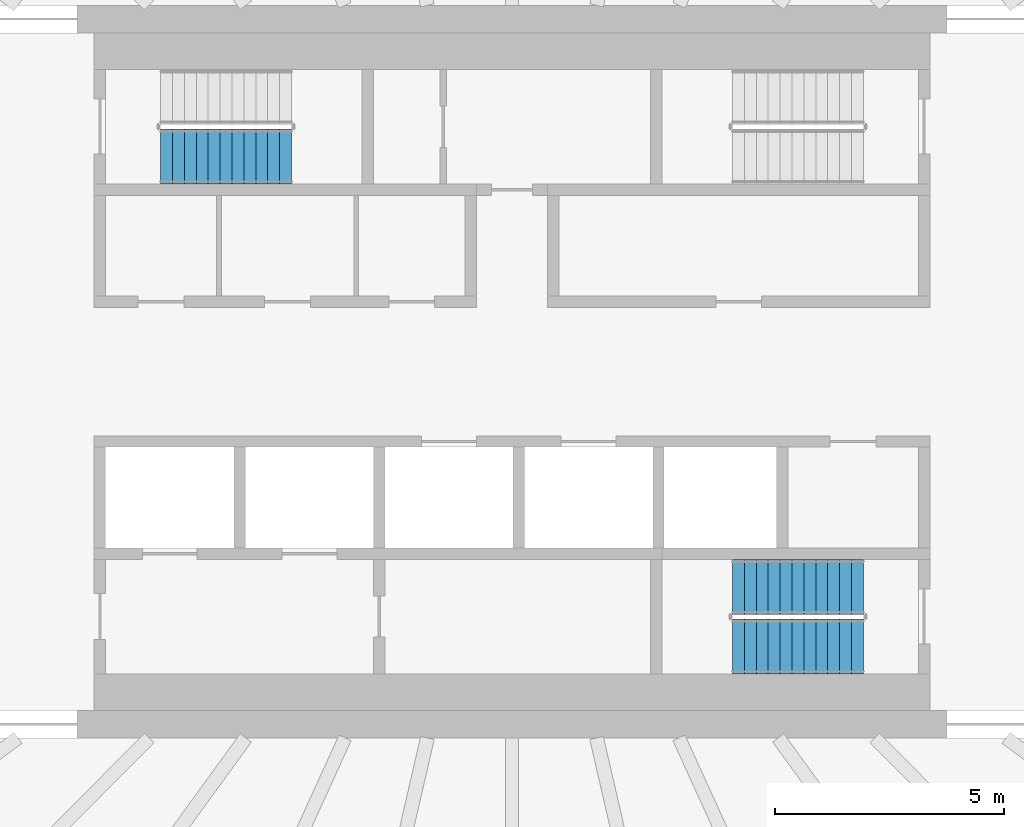
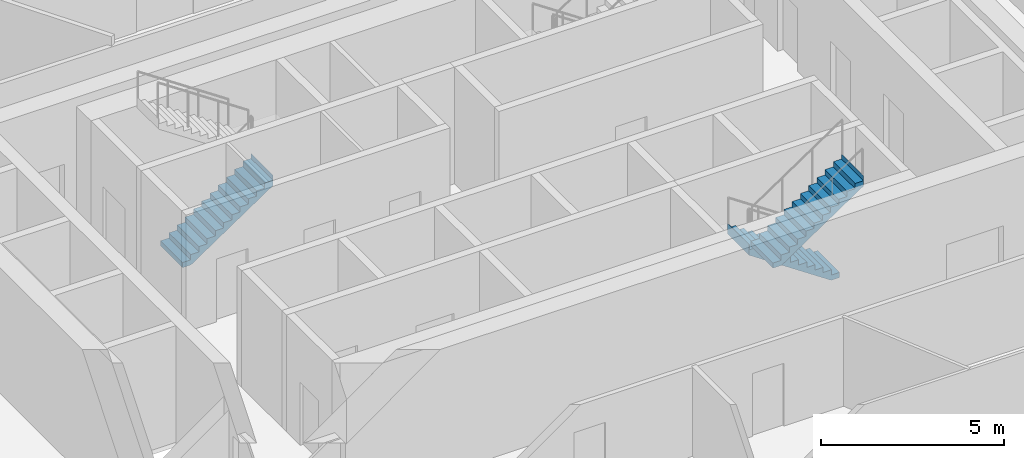
# One storey, part 18 of 25: 3 stair flights, 2 elements without a shape of their own.
"""IFC4 building model written with IfcOpenShell, lengths in metres."""

import ifcopenshell
import ifcopenshell.guid

model = None  # the IFC model being written
_history = None  # IfcOwnerHistory: only IFC2X3 demands one
_inside = {}  # id of a spatial element -> (the spatial element, [elements in it])
_under = {}  # id of a project, library or spatial element -> (it, [spatial elements below it])
_declared = {}  # id of a project -> (the project, [libraries it declares])
_typed = {}  # id of a type object -> (the type object, [elements of that type])
_made_of = {}  # id of a material, layer set ... -> (it, [elements and type objects made of it])


def new_model(schema):
    """Start an empty IFC model of exactly this schema.

    Asked for "IFC4X3", IfcOpenShell would pick the latest addendum, in which some entities
    have other attributes; the version numbers below select the first issue.
    IFC2X3 requires an IfcOwnerHistory on every rooted entity: one is made here for all.
    """
    global model, _history
    if schema == "IFC4X3":
        model = ifcopenshell.file(schema_version=(4, 3, 0, 0))
    else:
        model = ifcopenshell.file(schema=schema)
    _inside.clear()
    _under.clear()
    _declared.clear()
    _typed.clear()
    _made_of.clear()
    _history = None
    if model.schema == "IFC2X3":
        org = make("IfcOrganization", Name="unknown")
        user = make(
            "IfcPersonAndOrganization",
            ThePerson=make("IfcPerson", FamilyName="unknown"),
            TheOrganization=org,
        )
        app = make(
            "IfcApplication",
            ApplicationDeveloper=org,
            Version="unknown",
            ApplicationFullName="unknown",
            ApplicationIdentifier="unknown",
        )
        _history = make(
            "IfcOwnerHistory",
            OwningUser=user,
            OwningApplication=app,
            ChangeAction="ADDED",
            CreationDate=0,
        )
    return model


def make(cls, **values):
    """One entity of the class cls with the attributes given. An attribute that is None is left unset."""
    return model.create_entity(
        cls, **{name: value for name, value in values.items() if value is not None}
    )


def rooted(cls, **values):
    """An entity with a GlobalId (a new one), such as an element, a storey or a relation."""
    return make(cls, GlobalId=ifcopenshell.guid.new(), OwnerHistory=_history, **values)


def si_unit(unit_type, name, prefix=None):
    """IfcSIUnit, for example si_unit("LENGTHUNIT", "METRE", prefix="MILLI")."""
    return make("IfcSIUnit", UnitType=unit_type, Prefix=prefix, Name=name)


def assignment(units):
    """IfcUnitAssignment: the units of a project."""
    return None if units is None else make("IfcUnitAssignment", Units=units)


def point(xyz):
    """IfcCartesianPoint."""
    return None if xyz is None else make("IfcCartesianPoint", Coordinates=xyz)


def direction(xyz):
    """IfcDirection."""
    return None if xyz is None else make("IfcDirection", DirectionRatios=xyz)


def frame(location, z_axis=None, x_axis=None):
    """IfcAxis2Placement3D, a coordinate frame: its origin and axes. An axis left out is left unset."""
    return make(
        "IfcAxis2Placement3D",
        Location=point(location),
        Axis=direction(z_axis),
        RefDirection=direction(x_axis),
    )


def origin():
    """The frame at (0, 0, 0) with its axes left unset."""
    return frame((0.0, 0.0, 0.0))


def place(relative_to, where):
    """IfcLocalPlacement: puts the frame where relative to a parent placement (None: the world)."""
    return make(
        "IfcLocalPlacement", PlacementRelTo=relative_to, RelativePlacement=where
    )


def context(
    kind, dimensions, precision=None, world=None, true_north=None, identifier=None
):
    """IfcGeometricRepresentationContext, for example the 3D "Model" context."""
    return make(
        "IfcGeometricRepresentationContext",
        ContextIdentifier=identifier,
        ContextType=kind,
        CoordinateSpaceDimension=dimensions,
        Precision=precision,
        WorldCoordinateSystem=world,
        TrueNorth=true_north,
    )


def subcontext(parent, identifier, kind, view, scale=None):
    """IfcGeometricRepresentationSubContext, for example "Body" below "Model"."""
    return make(
        "IfcGeometricRepresentationSubContext",
        ContextIdentifier=identifier,
        ContextType=kind,
        ParentContext=parent,
        TargetScale=scale,
        TargetView=view,
    )


def project(units=None, contexts=None):
    """IfcProject with its units and contexts."""
    return rooted(
        "IfcProject",
        Name="project",
        RepresentationContexts=contexts,
        UnitsInContext=assignment(units),
    )


def spatial(cls, under=None, at=None, **own):
    """A site, building, storey or space (cls), placed at a placement, below another one or the project."""
    s = rooted(cls, ObjectPlacement=at, **own)
    if under is not None:
        _under.setdefault(under.id(), (under, []))[1].append(s)
    return s


def point_list(points):
    """IfcCartesianPointList2D or 3D."""
    cls = (
        "IfcCartesianPointList2D" if len(points[0]) == 2 else "IfcCartesianPointList3D"
    )
    return make(cls, CoordList=points)


def triangles(points, corners, closed=None, point_numbers=None):
    """IfcTriangulatedFaceSet: each triangle names its three corners, points numbered from 1."""
    return make(
        "IfcTriangulatedFaceSet",
        Coordinates=point_list(points),
        Closed=closed,
        CoordIndex=corners,
        PnIndex=point_numbers,
    )


def shape(context_of_items, identifier, shape_type, items):
    """IfcShapeRepresentation: the items that make up one representation, for example the "Body"."""
    return make(
        "IfcShapeRepresentation",
        ContextOfItems=context_of_items,
        RepresentationIdentifier=identifier,
        RepresentationType=shape_type,
        Items=items,
    )


def material(Name=None, Category=None):
    """IfcMaterial."""
    return make("IfcMaterial", Name=Name, Category=Category)


def made_of(thing, what):
    """Note that an element or type object is made of a material, layer set ...; save() writes the relation."""
    if what is not None:
        _made_of.setdefault(what.id(), (what, []))[1].append(thing)
    return thing


def type_object(cls, material=None, **own):
    """A type object (cls), such as IfcWallType, which elements share."""
    return made_of(rooted(cls, **own), material)


def element(
    cls,
    number,
    at=None,
    inside=None,
    cuts=None,
    type_object=None,
    material=None,
    context=None,
    identifier="Body",
    shape_type=None,
    held_by="IfcProductDefinitionShape",
    body=None,
    shapes=None,
    **own,
):
    """One element of the class cls, such as IfcWall. Its Tag is "e" and its number.

    at: its placement. inside: the storey or other place that contains it. cuts: it is an
    opening in that element (IfcRelVoidsElement). A single representation is given by context,
    identifier, shape_type and body (its items); several are given by shapes. held_by: the class
    of the entity that holds the representations. save() writes the other relations.
    """
    e = rooted(cls, Tag="e%d" % number, ObjectPlacement=at, **own)
    if body is not None:
        shapes = [shape(context, identifier, shape_type, body)]
    if shapes is not None:
        e.Representation = make(held_by, Representations=shapes)
    if inside is not None:
        _inside.setdefault(inside.id(), (inside, []))[1].append(e)
    if cuts is not None:
        rooted(
            "IfcRelVoidsElement", RelatingBuildingElement=cuts, RelatedOpeningElement=e
        )
    if type_object is not None:
        _typed.setdefault(type_object.id(), (type_object, []))[1].append(e)
    return made_of(e, material)


def aggregate(whole, parts):
    """IfcRelAggregates: a whole, such as a stair, and the parts it consists of."""
    return rooted("IfcRelAggregates", RelatingObject=whole, RelatedObjects=parts)


def save(model, path):
    """Write the relations noted so far, then the file.

    IfcRelAggregates (storeys below a building ...), IfcRelContainedInSpatialStructure (elements
    in a storey), IfcRelDefinesByType, IfcRelAssociatesMaterial and IfcRelDeclares: one each for
    every whole, place, type object, material and project.
    """
    for whole, parts in _under.values():
        aggregate(whole, parts)
    for where, things in _inside.values():
        rooted(
            "IfcRelContainedInSpatialStructure",
            RelatedElements=things,
            RelatingStructure=where,
        )
    for kind, things in _typed.values():
        rooted("IfcRelDefinesByType", RelatedObjects=things, RelatingType=kind)
    for what, things in _made_of.values():
        rooted("IfcRelAssociatesMaterial", RelatedObjects=things, RelatingMaterial=what)
    for by, libraries in _declared.values():
        rooted("IfcRelDeclares", RelatingContext=by, RelatedDefinitions=libraries)
    model.write(path)


model = new_model("IFC4")

# Units and contexts
model_context = context("Model", 3, precision=1e-05, world=origin(), true_north=direction((0.0, 1.0)))
body_context = subcontext(model_context, "Body", "Model", "MODEL_VIEW")
ifc_project = project(units=[si_unit("LENGTHUNIT", "METRE"), si_unit("AREAUNIT", "SQUARE_METRE"), si_unit("VOLUMEUNIT", "CUBIC_METRE"), si_unit("PLANEANGLEUNIT", "RADIAN"), si_unit("MASSUNIT", "GRAM", prefix="KILO")], contexts=[model_context])

# Site, building, storey
site_placement = place(None, origin())
site = spatial("IfcSite", under=ifc_project, at=site_placement, CompositionType="ELEMENT")
building_placement = place(site_placement, origin())
building = spatial("IfcBuilding", under=site, at=building_placement, Name="Sahrelin Media Tower", CompositionType="ELEMENT")
storey_placement = place(building_placement, frame((0.0, 0.0, 144.0)))
storey = spatial("IfcBuildingStorey", under=building, at=storey_placement, Name="L29", CompositionType="ELEMENT", Elevation=144.0)

# Stair, stair flight
ifc_material = material(Name="Concrete C40/50", Category="concrete")
stair_type = type_object("IfcStairType", Name="Exit stair 1200", PredefinedType="HALF_TURN_STAIR", material=ifc_material)
placement = place(storey_placement, origin())
stair_1 = element("IfcStair", 1, at=placement, inside=storey, type_object=stair_type, Name="L29 Exit stair ST1", PredefinedType="HALF_TURN_STAIR")
stair_flight_type = type_object("IfcStairFlightType", Name="Stair flight 1200", PredefinedType="STRAIGHT", material=ifc_material)
stair_flight_1_placement = place(storey_placement, frame((-7.675048828125, 4.699951171875, 0.0), z_axis=(0.0, 0.0, 1.0), x_axis=(1.0, 0.0, 0.0)))
stair_flight_1 = element("IfcStairFlight", 2, at=stair_flight_1_placement, type_object=stair_flight_type, Name="ST1 flight 1", NumberOfRisers=12, NumberOfTreads=11, PredefinedType="STRAIGHT", RiserHeight=0.175, TreadLength=0.26, context=body_context, shape_type="Tessellation", body=[
    triangles([(0.2685546875, 0.60009765625, 0.0), (0.2685546875, 0.300048828125, 0.0), (0.2685546875, 0.0, 0.0), (0.2685546875, -0.300048828125, 0.0), (0.2685546875, -0.60009765625, 0.0), (2.860107421875, 0.60009765625, 1.744384765625), (2.860107421875, 0.300048828125, 1.744384765625), (2.860107421875, 0.0, 1.744384765625), (2.860107421875, -0.300048828125, 1.744384765625), (2.860107421875, -0.60009765625, 1.744384765625), (2.860107421875, 0.60009765625, 2.10009765625), (2.860107421875, 0.300048828125, 2.10009765625), (2.860107421875, 0.0, 2.10009765625), (2.860107421875, -0.300048828125, 2.10009765625), (2.860107421875, -0.60009765625, 2.10009765625), (2.85791015625, 0.60009765625, 2.10009765625), (2.85791015625, 0.300048828125, 2.10009765625), (2.85791015625, 0.0, 2.10009765625), (2.85791015625, -0.300048828125, 2.10009765625), (2.85791015625, -0.60009765625, 2.10009765625), (2.85791015625, 0.60009765625, 1.925048828125), (2.85791015625, 0.300048828125, 1.925048828125), (2.85791015625, 0.0, 1.925048828125), (2.85791015625, -0.300048828125, 1.925048828125), (2.85791015625, -0.60009765625, 1.925048828125), (2.60009765625, 0.60009765625, 1.925048828125), (2.60009765625, 0.300048828125, 1.925048828125), (2.60009765625, 0.0, 1.925048828125), (2.60009765625, -0.300048828125, 1.925048828125), (2.60009765625, -0.60009765625, 1.925048828125), (2.60009765625, 0.60009765625, 1.75), (2.60009765625, 0.300048828125, 1.75), (2.60009765625, 0.0, 1.75), (2.60009765625, -0.300048828125, 1.75), (2.60009765625, -0.60009765625, 1.75), (2.340087890625, 0.60009765625, 1.75), (2.340087890625, 0.300048828125, 1.75), (2.340087890625, 0.0, 1.75), (2.340087890625, -0.300048828125, 1.75), (2.340087890625, -0.60009765625, 1.75), (2.340087890625, 0.60009765625, 1.574951171875), (2.340087890625, 0.300048828125, 1.574951171875), (2.340087890625, 0.0, 1.574951171875), (2.340087890625, -0.300048828125, 1.574951171875), (2.340087890625, -0.60009765625, 1.574951171875), (2.080078125, 0.60009765625, 1.574951171875), (2.080078125, 0.300048828125, 1.574951171875), (2.080078125, 0.0, 1.574951171875), (2.080078125, -0.300048828125, 1.574951171875), (2.080078125, -0.60009765625, 1.574951171875), (2.080078125, 0.60009765625, 1.39990234375), (2.080078125, 0.300048828125, 1.39990234375), (2.080078125, 0.0, 1.39990234375), (2.080078125, -0.300048828125, 1.39990234375), (2.080078125, -0.60009765625, 1.39990234375), (1.820068359375, 0.60009765625, 1.39990234375), (1.820068359375, 0.300048828125, 1.39990234375), (1.820068359375, 0.0, 1.39990234375), (1.820068359375, -0.300048828125, 1.39990234375), (1.820068359375, -0.60009765625, 1.39990234375), (1.820068359375, 0.60009765625, 1.22509765625), (1.820068359375, 0.300048828125, 1.22509765625), (1.820068359375, 0.0, 1.22509765625), (1.820068359375, -0.300048828125, 1.22509765625), (1.820068359375, -0.60009765625, 1.22509765625), (1.56005859375, 0.60009765625, 1.22509765625), (1.56005859375, 0.300048828125, 1.22509765625), (1.56005859375, 0.0, 1.22509765625), (1.56005859375, -0.300048828125, 1.22509765625), (1.56005859375, -0.60009765625, 1.22509765625), (1.56005859375, 0.60009765625, 1.050048828125), (1.56005859375, 0.300048828125, 1.050048828125), (1.56005859375, 0.0, 1.050048828125), (1.56005859375, -0.300048828125, 1.050048828125), (1.56005859375, -0.60009765625, 1.050048828125), (1.300048828125, 0.60009765625, 1.050048828125), (1.300048828125, 0.300048828125, 1.050048828125), (1.300048828125, 0.0, 1.050048828125), (1.300048828125, -0.300048828125, 1.050048828125), (1.300048828125, -0.60009765625, 1.050048828125), (1.300048828125, 0.60009765625, 0.875), (1.300048828125, 0.300048828125, 0.875), (1.300048828125, 0.0, 0.875), (1.300048828125, -0.300048828125, 0.875), (1.300048828125, -0.60009765625, 0.875), (1.0400390625, 0.60009765625, 0.875), (1.0400390625, 0.300048828125, 0.875), (1.0400390625, 0.0, 0.875), (1.0400390625, -0.300048828125, 0.875), (1.0400390625, -0.60009765625, 0.875), (1.0400390625, 0.60009765625, 0.699951171875), (1.0400390625, 0.300048828125, 0.699951171875), (1.0400390625, 0.0, 0.699951171875), (1.0400390625, -0.300048828125, 0.699951171875), (1.0400390625, -0.60009765625, 0.699951171875), (0.780029296875, 0.60009765625, 0.699951171875), (0.780029296875, 0.300048828125, 0.699951171875), (0.780029296875, 0.0, 0.699951171875), (0.780029296875, -0.300048828125, 0.699951171875), (0.780029296875, -0.60009765625, 0.699951171875), (0.780029296875, 0.60009765625, 0.52490234375), (0.780029296875, 0.300048828125, 0.52490234375), (0.780029296875, 0.0, 0.52490234375), (0.780029296875, -0.300048828125, 0.52490234375), (0.780029296875, -0.60009765625, 0.52490234375), (0.52001953125, 0.60009765625, 0.52490234375), (0.52001953125, 0.300048828125, 0.52490234375), (0.52001953125, 0.0, 0.52490234375), (0.52001953125, -0.300048828125, 0.52490234375), (0.52001953125, -0.60009765625, 0.52490234375), (0.52001953125, 0.60009765625, 0.35009765625), (0.52001953125, 0.300048828125, 0.35009765625), (0.52001953125, 0.0, 0.35009765625), (0.52001953125, -0.300048828125, 0.35009765625), (0.52001953125, -0.60009765625, 0.35009765625), (0.260009765625, 0.60009765625, 0.35009765625), (0.260009765625, 0.300048828125, 0.35009765625), (0.260009765625, 0.0, 0.35009765625), (0.260009765625, -0.300048828125, 0.35009765625), (0.260009765625, -0.60009765625, 0.35009765625), (0.260009765625, 0.60009765625, 0.175048828125), (0.260009765625, 0.300048828125, 0.175048828125), (0.260009765625, 0.0, 0.175048828125), (0.260009765625, -0.300048828125, 0.175048828125), (0.260009765625, -0.60009765625, 0.175048828125), (0.0, 0.60009765625, 0.175048828125), (0.0, 0.300048828125, 0.175048828125), (0.0, 0.0, 0.175048828125), (0.0, -0.300048828125, 0.175048828125), (0.0, -0.60009765625, 0.175048828125), (0.0, 0.60009765625, 0.0), (0.0, 0.300048828125, 0.0), (0.0, 0.0, 0.0), (0.0, -0.300048828125, 0.0), (0.0, -0.60009765625, 0.0)], [[1, 6, 7], [1, 7, 2], [2, 7, 8], [2, 8, 3], [3, 8, 9], [3, 9, 4], [4, 9, 10], [4, 10, 5], [6, 11, 12], [6, 12, 7], [7, 12, 13], [7, 13, 8], [8, 13, 14], [8, 14, 9], [9, 14, 15], [9, 15, 10], [11, 16, 17], [11, 17, 12], [12, 17, 18], [12, 18, 13], [13, 18, 19], [13, 19, 14], [14, 19, 20], [14, 20, 15], [16, 21, 22], [16, 22, 17], [17, 22, 23], [17, 23, 18], [18, 23, 24], [18, 24, 19], [19, 24, 25], [19, 25, 20], [21, 26, 27], [21, 27, 22], [22, 27, 28], [22, 28, 23], [23, 28, 29], [23, 29, 24], [24, 29, 30], [24, 30, 25], [26, 31, 32], [26, 32, 27], [27, 32, 33], [27, 33, 28], [28, 33, 34], [28, 34, 29], [29, 34, 35], [29, 35, 30], [31, 36, 37], [31, 37, 32], [32, 37, 38], [32, 38, 33], [33, 38, 39], [33, 39, 34], [34, 39, 40], [34, 40, 35], [36, 41, 42], [36, 42, 37], [37, 42, 43], [37, 43, 38], [38, 43, 44], [38, 44, 39], [39, 44, 45], [39, 45, 40], [41, 46, 47], [41, 47, 42], [42, 47, 48], [42, 48, 43], [43, 48, 49], [43, 49, 44], [44, 49, 50], [44, 50, 45], [46, 51, 52], [46, 52, 47], [47, 52, 53], [47, 53, 48], [48, 53, 54], [48, 54, 49], [49, 54, 55], [49, 55, 50], [51, 56, 57], [51, 57, 52], [52, 57, 58], [52, 58, 53], [53, 58, 59], [53, 59, 54], [54, 59, 60], [54, 60, 55], [56, 61, 62], [56, 62, 57], [57, 62, 63], [57, 63, 58], [58, 63, 64], [58, 64, 59], [59, 64, 65], [59, 65, 60], [61, 66, 67], [61, 67, 62], [62, 67, 68], [62, 68, 63], [63, 68, 69], [63, 69, 64], [64, 69, 70], [64, 70, 65], [66, 71, 72], [66, 72, 67], [67, 72, 73], [67, 73, 68], [68, 73, 74], [68, 74, 69], [69, 74, 75], [69, 75, 70], [71, 76, 77], [71, 77, 72], [72, 77, 78], [72, 78, 73], [73, 78, 79], [73, 79, 74], [74, 79, 80], [74, 80, 75], [76, 81, 82], [76, 82, 77], [77, 82, 83], [77, 83, 78], [78, 83, 84], [78, 84, 79], [79, 84, 85], [79, 85, 80], [81, 86, 87], [81, 87, 82], [82, 87, 88], [82, 88, 83], [83, 88, 89], [83, 89, 84], [84, 89, 90], [84, 90, 85], [86, 91, 92], [86, 92, 87], [87, 92, 93], [87, 93, 88], [88, 93, 94], [88, 94, 89], [89, 94, 95], [89, 95, 90], [91, 96, 97], [91, 97, 92], [92, 97, 98], [92, 98, 93], [93, 98, 99], [93, 99, 94], [94, 99, 100], [94, 100, 95], [96, 101, 102], [96, 102, 97], [97, 102, 103], [97, 103, 98], [98, 103, 104], [98, 104, 99], [99, 104, 105], [99, 105, 100], [101, 106, 107], [101, 107, 102], [102, 107, 108], [102, 108, 103], [103, 108, 109], [103, 109, 104], [104, 109, 110], [104, 110, 105], [106, 111, 112], [106, 112, 107], [107, 112, 113], [107, 113, 108], [108, 113, 114], [108, 114, 109], [109, 114, 115], [109, 115, 110], [111, 116, 117], [111, 117, 112], [112, 117, 118], [112, 118, 113], [113, 118, 119], [113, 119, 114], [114, 119, 120], [114, 120, 115], [116, 121, 122], [116, 122, 117], [117, 122, 123], [117, 123, 118], [118, 123, 124], [118, 124, 119], [119, 124, 125], [119, 125, 120], [121, 126, 127], [121, 127, 122], [122, 127, 128], [122, 128, 123], [123, 128, 129], [123, 129, 124], [124, 129, 130], [124, 130, 125], [126, 131, 132], [126, 132, 127], [127, 132, 133], [127, 133, 128], [128, 133, 134], [128, 134, 129], [129, 134, 135], [129, 135, 130], [131, 1, 2], [131, 2, 132], [132, 2, 3], [132, 3, 133], [133, 3, 4], [133, 4, 134], [134, 4, 5], [134, 5, 135], [125, 130, 135], [121, 131, 126], [125, 115, 120], [121, 116, 111], [115, 105, 110], [111, 106, 101], [105, 95, 100], [101, 96, 91], [95, 85, 90], [91, 86, 81], [85, 75, 80], [81, 76, 71], [75, 65, 70], [71, 66, 61], [65, 55, 60], [61, 56, 51], [55, 45, 50], [51, 46, 41], [45, 35, 40], [41, 36, 31], [35, 25, 30], [31, 26, 21], [25, 15, 20], [21, 16, 11], [135, 5, 125], [131, 121, 1], [95, 105, 5], [91, 1, 101], [5, 10, 75], [1, 71, 6], [10, 35, 45], [6, 41, 31], [25, 10, 15], [21, 11, 6], [115, 125, 5], [111, 1, 121], [75, 85, 5], [71, 1, 81], [35, 10, 25], [31, 21, 6], [105, 115, 5], [101, 1, 111], [45, 55, 10], [41, 6, 51], [85, 95, 5], [81, 1, 91], [65, 10, 55], [61, 51, 6], [10, 65, 75], [6, 71, 61]], closed=True),
])
aggregate(stair_1, [stair_flight_1])

# Stair, stair flights
stair_2 = element("IfcStair", 3, at=placement, inside=storey, type_object=stair_type, Name="L29 Exit stair ST2", PredefinedType="HALF_TURN_STAIR")
stair_flight_2_placement = place(storey_placement, frame((7.675048828125, -4.699951171875, 0.0), z_axis=(0.0, 0.0, 1.0), x_axis=(-1.0, 0.0, 0.0)))
stair_flight_2 = element("IfcStairFlight", 4, at=stair_flight_2_placement, type_object=stair_flight_type, Name="ST2 flight 1", NumberOfRisers=12, NumberOfTreads=11, PredefinedType="STRAIGHT", RiserHeight=0.175, TreadLength=0.26, context=body_context, shape_type="Tessellation", body=[
    triangles([(0.2685546875, 0.60009765625, 0.0), (0.2685546875, 0.300048828125, 0.0), (0.2685546875, 0.0, 0.0), (0.2685546875, -0.300048828125, 0.0), (0.2685546875, -0.60009765625, 0.0), (2.860107421875, 0.60009765625, 1.744384765625), (2.860107421875, 0.300048828125, 1.744384765625), (2.860107421875, 0.0, 1.744384765625), (2.860107421875, -0.300048828125, 1.744384765625), (2.860107421875, -0.60009765625, 1.744384765625), (2.860107421875, 0.60009765625, 2.10009765625), (2.860107421875, 0.300048828125, 2.10009765625), (2.860107421875, 0.0, 2.10009765625), (2.860107421875, -0.300048828125, 2.10009765625), (2.860107421875, -0.60009765625, 2.10009765625), (2.85791015625, 0.60009765625, 2.10009765625), (2.85791015625, 0.300048828125, 2.10009765625), (2.85791015625, 0.0, 2.10009765625), (2.85791015625, -0.300048828125, 2.10009765625), (2.85791015625, -0.60009765625, 2.10009765625), (2.85791015625, 0.60009765625, 1.925048828125), (2.85791015625, 0.300048828125, 1.925048828125), (2.85791015625, 0.0, 1.925048828125), (2.85791015625, -0.300048828125, 1.925048828125), (2.85791015625, -0.60009765625, 1.925048828125), (2.60009765625, 0.60009765625, 1.925048828125), (2.60009765625, 0.300048828125, 1.925048828125), (2.60009765625, 0.0, 1.925048828125), (2.60009765625, -0.300048828125, 1.925048828125), (2.60009765625, -0.60009765625, 1.925048828125), (2.60009765625, 0.60009765625, 1.75), (2.60009765625, 0.300048828125, 1.75), (2.60009765625, 0.0, 1.75), (2.60009765625, -0.300048828125, 1.75), (2.60009765625, -0.60009765625, 1.75), (2.340087890625, 0.60009765625, 1.75), (2.340087890625, 0.300048828125, 1.75), (2.340087890625, 0.0, 1.75), (2.340087890625, -0.300048828125, 1.75), (2.340087890625, -0.60009765625, 1.75), (2.340087890625, 0.60009765625, 1.574951171875), (2.340087890625, 0.300048828125, 1.574951171875), (2.340087890625, 0.0, 1.574951171875), (2.340087890625, -0.300048828125, 1.574951171875), (2.340087890625, -0.60009765625, 1.574951171875), (2.080078125, 0.60009765625, 1.574951171875), (2.080078125, 0.300048828125, 1.574951171875), (2.080078125, 0.0, 1.574951171875), (2.080078125, -0.300048828125, 1.574951171875), (2.080078125, -0.60009765625, 1.574951171875), (2.080078125, 0.60009765625, 1.39990234375), (2.080078125, 0.300048828125, 1.39990234375), (2.080078125, 0.0, 1.39990234375), (2.080078125, -0.300048828125, 1.39990234375), (2.080078125, -0.60009765625, 1.39990234375), (1.820068359375, 0.60009765625, 1.39990234375), (1.820068359375, 0.300048828125, 1.39990234375), (1.820068359375, 0.0, 1.39990234375), (1.820068359375, -0.300048828125, 1.39990234375), (1.820068359375, -0.60009765625, 1.39990234375), (1.820068359375, 0.60009765625, 1.22509765625), (1.820068359375, 0.300048828125, 1.22509765625), (1.820068359375, 0.0, 1.22509765625), (1.820068359375, -0.300048828125, 1.22509765625), (1.820068359375, -0.60009765625, 1.22509765625), (1.56005859375, 0.60009765625, 1.22509765625), (1.56005859375, 0.300048828125, 1.22509765625), (1.56005859375, 0.0, 1.22509765625), (1.56005859375, -0.300048828125, 1.22509765625), (1.56005859375, -0.60009765625, 1.22509765625), (1.56005859375, 0.60009765625, 1.050048828125), (1.56005859375, 0.300048828125, 1.050048828125), (1.56005859375, 0.0, 1.050048828125), (1.56005859375, -0.300048828125, 1.050048828125), (1.56005859375, -0.60009765625, 1.050048828125), (1.300048828125, 0.60009765625, 1.050048828125), (1.300048828125, 0.300048828125, 1.050048828125), (1.300048828125, 0.0, 1.050048828125), (1.300048828125, -0.300048828125, 1.050048828125), (1.300048828125, -0.60009765625, 1.050048828125), (1.300048828125, 0.60009765625, 0.875), (1.300048828125, 0.300048828125, 0.875), (1.300048828125, 0.0, 0.875), (1.300048828125, -0.300048828125, 0.875), (1.300048828125, -0.60009765625, 0.875), (1.0400390625, 0.60009765625, 0.875), (1.0400390625, 0.300048828125, 0.875), (1.0400390625, 0.0, 0.875), (1.0400390625, -0.300048828125, 0.875), (1.0400390625, -0.60009765625, 0.875), (1.0400390625, 0.60009765625, 0.699951171875), (1.0400390625, 0.300048828125, 0.699951171875), (1.0400390625, 0.0, 0.699951171875), (1.0400390625, -0.300048828125, 0.699951171875), (1.0400390625, -0.60009765625, 0.699951171875), (0.780029296875, 0.60009765625, 0.699951171875), (0.780029296875, 0.300048828125, 0.699951171875), (0.780029296875, 0.0, 0.699951171875), (0.780029296875, -0.300048828125, 0.699951171875), (0.780029296875, -0.60009765625, 0.699951171875), (0.780029296875, 0.60009765625, 0.52490234375), (0.780029296875, 0.300048828125, 0.52490234375), (0.780029296875, 0.0, 0.52490234375), (0.780029296875, -0.300048828125, 0.52490234375), (0.780029296875, -0.60009765625, 0.52490234375), (0.52001953125, 0.60009765625, 0.52490234375), (0.52001953125, 0.300048828125, 0.52490234375), (0.52001953125, 0.0, 0.52490234375), (0.52001953125, -0.300048828125, 0.52490234375), (0.52001953125, -0.60009765625, 0.52490234375), (0.52001953125, 0.60009765625, 0.35009765625), (0.52001953125, 0.300048828125, 0.35009765625), (0.52001953125, 0.0, 0.35009765625), (0.52001953125, -0.300048828125, 0.35009765625), (0.52001953125, -0.60009765625, 0.35009765625), (0.260009765625, 0.60009765625, 0.35009765625), (0.260009765625, 0.300048828125, 0.35009765625), (0.260009765625, 0.0, 0.35009765625), (0.260009765625, -0.300048828125, 0.35009765625), (0.260009765625, -0.60009765625, 0.35009765625), (0.260009765625, 0.60009765625, 0.175048828125), (0.260009765625, 0.300048828125, 0.175048828125), (0.260009765625, 0.0, 0.175048828125), (0.260009765625, -0.300048828125, 0.175048828125), (0.260009765625, -0.60009765625, 0.175048828125), (0.0, 0.60009765625, 0.175048828125), (0.0, 0.300048828125, 0.175048828125), (0.0, 0.0, 0.175048828125), (0.0, -0.300048828125, 0.175048828125), (0.0, -0.60009765625, 0.175048828125), (0.0, 0.60009765625, 0.0), (0.0, 0.300048828125, 0.0), (0.0, 0.0, 0.0), (0.0, -0.300048828125, 0.0), (0.0, -0.60009765625, 0.0)], [[1, 6, 7], [1, 7, 2], [2, 7, 8], [2, 8, 3], [3, 8, 9], [3, 9, 4], [4, 9, 10], [4, 10, 5], [6, 11, 12], [6, 12, 7], [7, 12, 13], [7, 13, 8], [8, 13, 14], [8, 14, 9], [9, 14, 15], [9, 15, 10], [11, 16, 17], [11, 17, 12], [12, 17, 18], [12, 18, 13], [13, 18, 19], [13, 19, 14], [14, 19, 20], [14, 20, 15], [16, 21, 22], [16, 22, 17], [17, 22, 23], [17, 23, 18], [18, 23, 24], [18, 24, 19], [19, 24, 25], [19, 25, 20], [21, 26, 27], [21, 27, 22], [22, 27, 28], [22, 28, 23], [23, 28, 29], [23, 29, 24], [24, 29, 30], [24, 30, 25], [26, 31, 32], [26, 32, 27], [27, 32, 33], [27, 33, 28], [28, 33, 34], [28, 34, 29], [29, 34, 35], [29, 35, 30], [31, 36, 37], [31, 37, 32], [32, 37, 38], [32, 38, 33], [33, 38, 39], [33, 39, 34], [34, 39, 40], [34, 40, 35], [36, 41, 42], [36, 42, 37], [37, 42, 43], [37, 43, 38], [38, 43, 44], [38, 44, 39], [39, 44, 45], [39, 45, 40], [41, 46, 47], [41, 47, 42], [42, 47, 48], [42, 48, 43], [43, 48, 49], [43, 49, 44], [44, 49, 50], [44, 50, 45], [46, 51, 52], [46, 52, 47], [47, 52, 53], [47, 53, 48], [48, 53, 54], [48, 54, 49], [49, 54, 55], [49, 55, 50], [51, 56, 57], [51, 57, 52], [52, 57, 58], [52, 58, 53], [53, 58, 59], [53, 59, 54], [54, 59, 60], [54, 60, 55], [56, 61, 62], [56, 62, 57], [57, 62, 63], [57, 63, 58], [58, 63, 64], [58, 64, 59], [59, 64, 65], [59, 65, 60], [61, 66, 67], [61, 67, 62], [62, 67, 68], [62, 68, 63], [63, 68, 69], [63, 69, 64], [64, 69, 70], [64, 70, 65], [66, 71, 72], [66, 72, 67], [67, 72, 73], [67, 73, 68], [68, 73, 74], [68, 74, 69], [69, 74, 75], [69, 75, 70], [71, 76, 77], [71, 77, 72], [72, 77, 78], [72, 78, 73], [73, 78, 79], [73, 79, 74], [74, 79, 80], [74, 80, 75], [76, 81, 82], [76, 82, 77], [77, 82, 83], [77, 83, 78], [78, 83, 84], [78, 84, 79], [79, 84, 85], [79, 85, 80], [81, 86, 87], [81, 87, 82], [82, 87, 88], [82, 88, 83], [83, 88, 89], [83, 89, 84], [84, 89, 90], [84, 90, 85], [86, 91, 92], [86, 92, 87], [87, 92, 93], [87, 93, 88], [88, 93, 94], [88, 94, 89], [89, 94, 95], [89, 95, 90], [91, 96, 97], [91, 97, 92], [92, 97, 98], [92, 98, 93], [93, 98, 99], [93, 99, 94], [94, 99, 100], [94, 100, 95], [96, 101, 102], [96, 102, 97], [97, 102, 103], [97, 103, 98], [98, 103, 104], [98, 104, 99], [99, 104, 105], [99, 105, 100], [101, 106, 107], [101, 107, 102], [102, 107, 108], [102, 108, 103], [103, 108, 109], [103, 109, 104], [104, 109, 110], [104, 110, 105], [106, 111, 112], [106, 112, 107], [107, 112, 113], [107, 113, 108], [108, 113, 114], [108, 114, 109], [109, 114, 115], [109, 115, 110], [111, 116, 117], [111, 117, 112], [112, 117, 118], [112, 118, 113], [113, 118, 119], [113, 119, 114], [114, 119, 120], [114, 120, 115], [116, 121, 122], [116, 122, 117], [117, 122, 123], [117, 123, 118], [118, 123, 124], [118, 124, 119], [119, 124, 125], [119, 125, 120], [121, 126, 127], [121, 127, 122], [122, 127, 128], [122, 128, 123], [123, 128, 129], [123, 129, 124], [124, 129, 130], [124, 130, 125], [126, 131, 132], [126, 132, 127], [127, 132, 133], [127, 133, 128], [128, 133, 134], [128, 134, 129], [129, 134, 135], [129, 135, 130], [131, 1, 2], [131, 2, 132], [132, 2, 3], [132, 3, 133], [133, 3, 4], [133, 4, 134], [134, 4, 5], [134, 5, 135], [125, 130, 135], [121, 131, 126], [125, 115, 120], [121, 116, 111], [115, 105, 110], [111, 106, 101], [105, 95, 100], [101, 96, 91], [95, 85, 90], [91, 86, 81], [85, 75, 80], [81, 76, 71], [75, 65, 70], [71, 66, 61], [65, 55, 60], [61, 56, 51], [55, 45, 50], [51, 46, 41], [45, 35, 40], [41, 36, 31], [35, 25, 30], [31, 26, 21], [25, 15, 20], [21, 16, 11], [135, 5, 125], [131, 121, 1], [95, 105, 5], [91, 1, 101], [5, 10, 75], [1, 71, 6], [10, 35, 45], [6, 41, 31], [25, 10, 15], [21, 11, 6], [115, 125, 5], [111, 1, 121], [75, 85, 5], [71, 1, 81], [35, 10, 25], [31, 21, 6], [105, 115, 5], [101, 1, 111], [45, 55, 10], [41, 6, 51], [85, 95, 5], [81, 1, 91], [65, 10, 55], [61, 51, 6], [10, 65, 75], [6, 71, 61]], closed=True),
])
stair_flight_3_placement = place(storey_placement, frame((4.81494140625, -6.0, 2.10009765625), z_axis=(0.0, 0.0, 1.0), x_axis=(1.0, 0.0, 0.0)))
stair_flight_3 = element("IfcStairFlight", 5, at=stair_flight_3_placement, type_object=stair_flight_type, Name="ST2 flight 2", NumberOfRisers=12, NumberOfTreads=11, PredefinedType="STRAIGHT", RiserHeight=0.175, TreadLength=0.26, context=body_context, shape_type="Tessellation", body=[
    triangles([(0.2685546875, 0.60009765625, 0.0), (0.2685546875, 0.300048828125, 0.0), (0.2685546875, 0.0, 0.0), (0.2685546875, -0.300048828125, 0.0), (0.2685546875, -0.60009765625, 0.0), (2.860107421875, 0.60009765625, 1.744384765625), (2.860107421875, 0.300048828125, 1.744384765625), (2.860107421875, 0.0, 1.744384765625), (2.860107421875, -0.300048828125, 1.744384765625), (2.860107421875, -0.60009765625, 1.744384765625), (2.860107421875, 0.60009765625, 2.10009765625), (2.860107421875, 0.300048828125, 2.10009765625), (2.860107421875, 0.0, 2.10009765625), (2.860107421875, -0.300048828125, 2.10009765625), (2.860107421875, -0.60009765625, 2.10009765625), (2.85791015625, 0.60009765625, 2.10009765625), (2.85791015625, 0.300048828125, 2.10009765625), (2.85791015625, 0.0, 2.10009765625), (2.85791015625, -0.300048828125, 2.10009765625), (2.85791015625, -0.60009765625, 2.10009765625), (2.85791015625, 0.60009765625, 1.925048828125), (2.85791015625, 0.300048828125, 1.925048828125), (2.85791015625, 0.0, 1.925048828125), (2.85791015625, -0.300048828125, 1.925048828125), (2.85791015625, -0.60009765625, 1.925048828125), (2.60009765625, 0.60009765625, 1.925048828125), (2.60009765625, 0.300048828125, 1.925048828125), (2.60009765625, 0.0, 1.925048828125), (2.60009765625, -0.300048828125, 1.925048828125), (2.60009765625, -0.60009765625, 1.925048828125), (2.60009765625, 0.60009765625, 1.75), (2.60009765625, 0.300048828125, 1.75), (2.60009765625, 0.0, 1.75), (2.60009765625, -0.300048828125, 1.75), (2.60009765625, -0.60009765625, 1.75), (2.340087890625, 0.60009765625, 1.75), (2.340087890625, 0.300048828125, 1.75), (2.340087890625, 0.0, 1.75), (2.340087890625, -0.300048828125, 1.75), (2.340087890625, -0.60009765625, 1.75), (2.340087890625, 0.60009765625, 1.574951171875), (2.340087890625, 0.300048828125, 1.574951171875), (2.340087890625, 0.0, 1.574951171875), (2.340087890625, -0.300048828125, 1.574951171875), (2.340087890625, -0.60009765625, 1.574951171875), (2.080078125, 0.60009765625, 1.574951171875), (2.080078125, 0.300048828125, 1.574951171875), (2.080078125, 0.0, 1.574951171875), (2.080078125, -0.300048828125, 1.574951171875), (2.080078125, -0.60009765625, 1.574951171875), (2.080078125, 0.60009765625, 1.39990234375), (2.080078125, 0.300048828125, 1.39990234375), (2.080078125, 0.0, 1.39990234375), (2.080078125, -0.300048828125, 1.39990234375), (2.080078125, -0.60009765625, 1.39990234375), (1.820068359375, 0.60009765625, 1.39990234375), (1.820068359375, 0.300048828125, 1.39990234375), (1.820068359375, 0.0, 1.39990234375), (1.820068359375, -0.300048828125, 1.39990234375), (1.820068359375, -0.60009765625, 1.39990234375), (1.820068359375, 0.60009765625, 1.22509765625), (1.820068359375, 0.300048828125, 1.22509765625), (1.820068359375, 0.0, 1.22509765625), (1.820068359375, -0.300048828125, 1.22509765625), (1.820068359375, -0.60009765625, 1.22509765625), (1.56005859375, 0.60009765625, 1.22509765625), (1.56005859375, 0.300048828125, 1.22509765625), (1.56005859375, 0.0, 1.22509765625), (1.56005859375, -0.300048828125, 1.22509765625), (1.56005859375, -0.60009765625, 1.22509765625), (1.56005859375, 0.60009765625, 1.050048828125), (1.56005859375, 0.300048828125, 1.050048828125), (1.56005859375, 0.0, 1.050048828125), (1.56005859375, -0.300048828125, 1.050048828125), (1.56005859375, -0.60009765625, 1.050048828125), (1.300048828125, 0.60009765625, 1.050048828125), (1.300048828125, 0.300048828125, 1.050048828125), (1.300048828125, 0.0, 1.050048828125), (1.300048828125, -0.300048828125, 1.050048828125), (1.300048828125, -0.60009765625, 1.050048828125), (1.300048828125, 0.60009765625, 0.875), (1.300048828125, 0.300048828125, 0.875), (1.300048828125, 0.0, 0.875), (1.300048828125, -0.300048828125, 0.875), (1.300048828125, -0.60009765625, 0.875), (1.0400390625, 0.60009765625, 0.875), (1.0400390625, 0.300048828125, 0.875), (1.0400390625, 0.0, 0.875), (1.0400390625, -0.300048828125, 0.875), (1.0400390625, -0.60009765625, 0.875), (1.0400390625, 0.60009765625, 0.699951171875), (1.0400390625, 0.300048828125, 0.699951171875), (1.0400390625, 0.0, 0.699951171875), (1.0400390625, -0.300048828125, 0.699951171875), (1.0400390625, -0.60009765625, 0.699951171875), (0.780029296875, 0.60009765625, 0.699951171875), (0.780029296875, 0.300048828125, 0.699951171875), (0.780029296875, 0.0, 0.699951171875), (0.780029296875, -0.300048828125, 0.699951171875), (0.780029296875, -0.60009765625, 0.699951171875), (0.780029296875, 0.60009765625, 0.52490234375), (0.780029296875, 0.300048828125, 0.52490234375), (0.780029296875, 0.0, 0.52490234375), (0.780029296875, -0.300048828125, 0.52490234375), (0.780029296875, -0.60009765625, 0.52490234375), (0.52001953125, 0.60009765625, 0.52490234375), (0.52001953125, 0.300048828125, 0.52490234375), (0.52001953125, 0.0, 0.52490234375), (0.52001953125, -0.300048828125, 0.52490234375), (0.52001953125, -0.60009765625, 0.52490234375), (0.52001953125, 0.60009765625, 0.35009765625), (0.52001953125, 0.300048828125, 0.35009765625), (0.52001953125, 0.0, 0.35009765625), (0.52001953125, -0.300048828125, 0.35009765625), (0.52001953125, -0.60009765625, 0.35009765625), (0.260009765625, 0.60009765625, 0.35009765625), (0.260009765625, 0.300048828125, 0.35009765625), (0.260009765625, 0.0, 0.35009765625), (0.260009765625, -0.300048828125, 0.35009765625), (0.260009765625, -0.60009765625, 0.35009765625), (0.260009765625, 0.60009765625, 0.175048828125), (0.260009765625, 0.300048828125, 0.175048828125), (0.260009765625, 0.0, 0.175048828125), (0.260009765625, -0.300048828125, 0.175048828125), (0.260009765625, -0.60009765625, 0.175048828125), (0.0, 0.60009765625, 0.175048828125), (0.0, 0.300048828125, 0.175048828125), (0.0, 0.0, 0.175048828125), (0.0, -0.300048828125, 0.175048828125), (0.0, -0.60009765625, 0.175048828125), (0.0, 0.60009765625, 0.0), (0.0, 0.300048828125, 0.0), (0.0, 0.0, 0.0), (0.0, -0.300048828125, 0.0), (0.0, -0.60009765625, 0.0)], [[1, 6, 7], [1, 7, 2], [2, 7, 8], [2, 8, 3], [3, 8, 9], [3, 9, 4], [4, 9, 10], [4, 10, 5], [6, 11, 12], [6, 12, 7], [7, 12, 13], [7, 13, 8], [8, 13, 14], [8, 14, 9], [9, 14, 15], [9, 15, 10], [11, 16, 17], [11, 17, 12], [12, 17, 18], [12, 18, 13], [13, 18, 19], [13, 19, 14], [14, 19, 20], [14, 20, 15], [16, 21, 22], [16, 22, 17], [17, 22, 23], [17, 23, 18], [18, 23, 24], [18, 24, 19], [19, 24, 25], [19, 25, 20], [21, 26, 27], [21, 27, 22], [22, 27, 28], [22, 28, 23], [23, 28, 29], [23, 29, 24], [24, 29, 30], [24, 30, 25], [26, 31, 32], [26, 32, 27], [27, 32, 33], [27, 33, 28], [28, 33, 34], [28, 34, 29], [29, 34, 35], [29, 35, 30], [31, 36, 37], [31, 37, 32], [32, 37, 38], [32, 38, 33], [33, 38, 39], [33, 39, 34], [34, 39, 40], [34, 40, 35], [36, 41, 42], [36, 42, 37], [37, 42, 43], [37, 43, 38], [38, 43, 44], [38, 44, 39], [39, 44, 45], [39, 45, 40], [41, 46, 47], [41, 47, 42], [42, 47, 48], [42, 48, 43], [43, 48, 49], [43, 49, 44], [44, 49, 50], [44, 50, 45], [46, 51, 52], [46, 52, 47], [47, 52, 53], [47, 53, 48], [48, 53, 54], [48, 54, 49], [49, 54, 55], [49, 55, 50], [51, 56, 57], [51, 57, 52], [52, 57, 58], [52, 58, 53], [53, 58, 59], [53, 59, 54], [54, 59, 60], [54, 60, 55], [56, 61, 62], [56, 62, 57], [57, 62, 63], [57, 63, 58], [58, 63, 64], [58, 64, 59], [59, 64, 65], [59, 65, 60], [61, 66, 67], [61, 67, 62], [62, 67, 68], [62, 68, 63], [63, 68, 69], [63, 69, 64], [64, 69, 70], [64, 70, 65], [66, 71, 72], [66, 72, 67], [67, 72, 73], [67, 73, 68], [68, 73, 74], [68, 74, 69], [69, 74, 75], [69, 75, 70], [71, 76, 77], [71, 77, 72], [72, 77, 78], [72, 78, 73], [73, 78, 79], [73, 79, 74], [74, 79, 80], [74, 80, 75], [76, 81, 82], [76, 82, 77], [77, 82, 83], [77, 83, 78], [78, 83, 84], [78, 84, 79], [79, 84, 85], [79, 85, 80], [81, 86, 87], [81, 87, 82], [82, 87, 88], [82, 88, 83], [83, 88, 89], [83, 89, 84], [84, 89, 90], [84, 90, 85], [86, 91, 92], [86, 92, 87], [87, 92, 93], [87, 93, 88], [88, 93, 94], [88, 94, 89], [89, 94, 95], [89, 95, 90], [91, 96, 97], [91, 97, 92], [92, 97, 98], [92, 98, 93], [93, 98, 99], [93, 99, 94], [94, 99, 100], [94, 100, 95], [96, 101, 102], [96, 102, 97], [97, 102, 103], [97, 103, 98], [98, 103, 104], [98, 104, 99], [99, 104, 105], [99, 105, 100], [101, 106, 107], [101, 107, 102], [102, 107, 108], [102, 108, 103], [103, 108, 109], [103, 109, 104], [104, 109, 110], [104, 110, 105], [106, 111, 112], [106, 112, 107], [107, 112, 113], [107, 113, 108], [108, 113, 114], [108, 114, 109], [109, 114, 115], [109, 115, 110], [111, 116, 117], [111, 117, 112], [112, 117, 118], [112, 118, 113], [113, 118, 119], [113, 119, 114], [114, 119, 120], [114, 120, 115], [116, 121, 122], [116, 122, 117], [117, 122, 123], [117, 123, 118], [118, 123, 124], [118, 124, 119], [119, 124, 125], [119, 125, 120], [121, 126, 127], [121, 127, 122], [122, 127, 128], [122, 128, 123], [123, 128, 129], [123, 129, 124], [124, 129, 130], [124, 130, 125], [126, 131, 132], [126, 132, 127], [127, 132, 133], [127, 133, 128], [128, 133, 134], [128, 134, 129], [129, 134, 135], [129, 135, 130], [131, 1, 2], [131, 2, 132], [132, 2, 3], [132, 3, 133], [133, 3, 4], [133, 4, 134], [134, 4, 5], [134, 5, 135], [125, 130, 135], [121, 131, 126], [125, 115, 120], [121, 116, 111], [115, 105, 110], [111, 106, 101], [105, 95, 100], [101, 96, 91], [95, 85, 90], [91, 86, 81], [85, 75, 80], [81, 76, 71], [75, 65, 70], [71, 66, 61], [65, 55, 60], [61, 56, 51], [55, 45, 50], [51, 46, 41], [45, 35, 40], [41, 36, 31], [35, 25, 30], [31, 26, 21], [25, 15, 20], [21, 16, 11], [135, 5, 125], [131, 121, 1], [95, 105, 5], [91, 1, 101], [5, 10, 75], [1, 71, 6], [10, 35, 45], [6, 41, 31], [25, 10, 15], [21, 11, 6], [115, 125, 5], [111, 1, 121], [75, 85, 5], [71, 1, 81], [35, 10, 25], [31, 21, 6], [105, 115, 5], [101, 1, 111], [45, 55, 10], [41, 6, 51], [85, 95, 5], [81, 1, 91], [65, 10, 55], [61, 51, 6], [10, 65, 75], [6, 71, 61]], closed=True),
])
aggregate(stair_2, [stair_flight_2, stair_flight_3])

save(model, "model.ifc")
